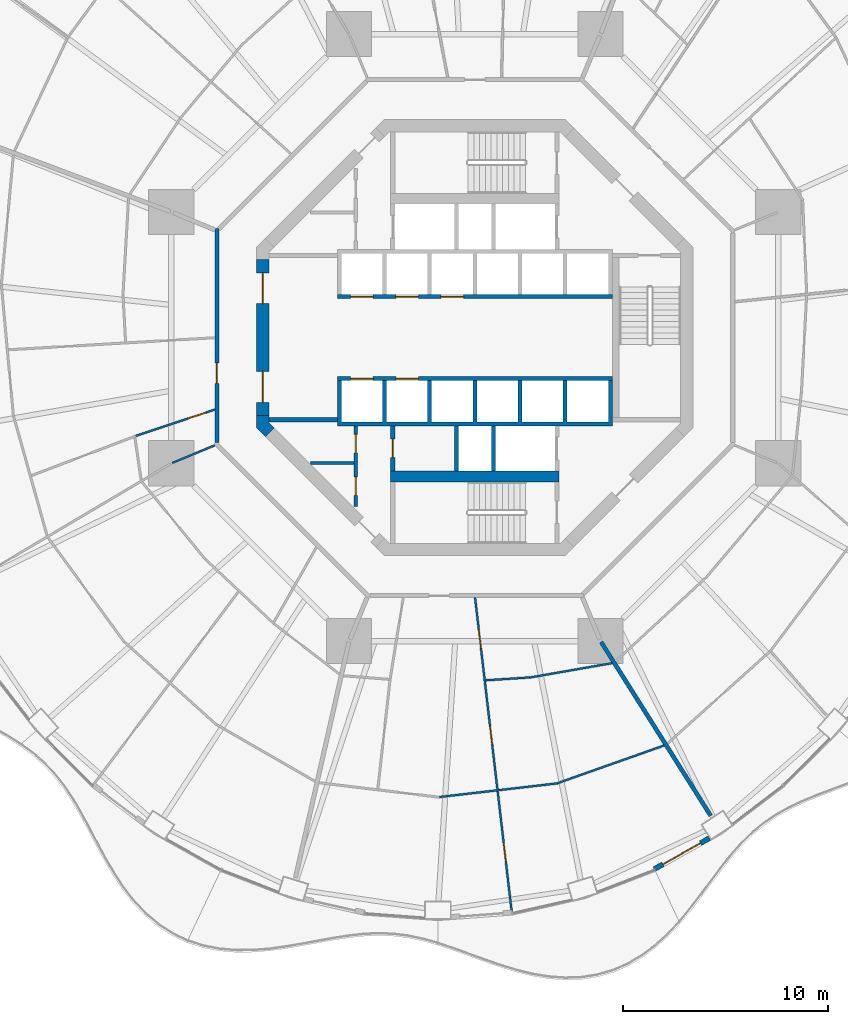
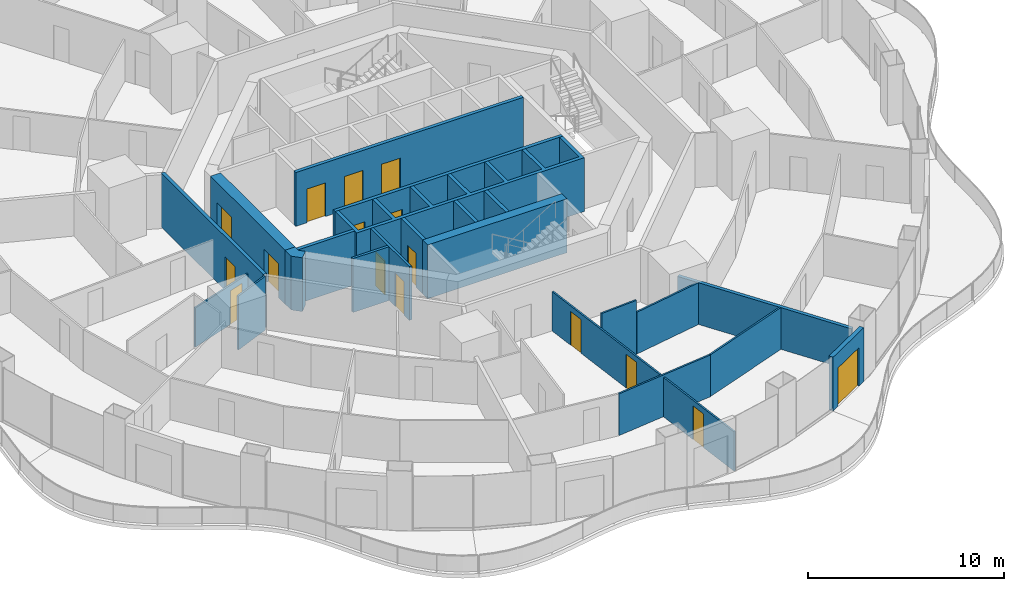
# One storey, part 16 of 23: 22 walls, 16 doors, 16 openings.
"""IFC4 building model written with IfcOpenShell, lengths in metres."""

import ifcopenshell
import ifcopenshell.guid

model = None  # the IFC model being written
_history = None  # IfcOwnerHistory: only IFC2X3 demands one
_inside = {}  # id of a spatial element -> (the spatial element, [elements in it])
_under = {}  # id of a project, library or spatial element -> (it, [spatial elements below it])
_declared = {}  # id of a project -> (the project, [libraries it declares])
_typed = {}  # id of a type object -> (the type object, [elements of that type])
_made_of = {}  # id of a material, layer set ... -> (it, [elements and type objects made of it])


def new_model(schema):
    """Start an empty IFC model of exactly this schema.

    Asked for "IFC4X3", IfcOpenShell would pick the latest addendum, in which some entities
    have other attributes; the version numbers below select the first issue.
    IFC2X3 requires an IfcOwnerHistory on every rooted entity: one is made here for all.
    """
    global model, _history
    if schema == "IFC4X3":
        model = ifcopenshell.file(schema_version=(4, 3, 0, 0))
    else:
        model = ifcopenshell.file(schema=schema)
    _inside.clear()
    _under.clear()
    _declared.clear()
    _typed.clear()
    _made_of.clear()
    _history = None
    if model.schema == "IFC2X3":
        org = make("IfcOrganization", Name="unknown")
        user = make(
            "IfcPersonAndOrganization",
            ThePerson=make("IfcPerson", FamilyName="unknown"),
            TheOrganization=org,
        )
        app = make(
            "IfcApplication",
            ApplicationDeveloper=org,
            Version="unknown",
            ApplicationFullName="unknown",
            ApplicationIdentifier="unknown",
        )
        _history = make(
            "IfcOwnerHistory",
            OwningUser=user,
            OwningApplication=app,
            ChangeAction="ADDED",
            CreationDate=0,
        )
    return model


def make(cls, **values):
    """One entity of the class cls with the attributes given. An attribute that is None is left unset."""
    return model.create_entity(
        cls, **{name: value for name, value in values.items() if value is not None}
    )


def rooted(cls, **values):
    """An entity with a GlobalId (a new one), such as an element, a storey or a relation."""
    return make(cls, GlobalId=ifcopenshell.guid.new(), OwnerHistory=_history, **values)


def si_unit(unit_type, name, prefix=None):
    """IfcSIUnit, for example si_unit("LENGTHUNIT", "METRE", prefix="MILLI")."""
    return make("IfcSIUnit", UnitType=unit_type, Prefix=prefix, Name=name)


def assignment(units):
    """IfcUnitAssignment: the units of a project."""
    return None if units is None else make("IfcUnitAssignment", Units=units)


def point(xyz):
    """IfcCartesianPoint."""
    return None if xyz is None else make("IfcCartesianPoint", Coordinates=xyz)


def direction(xyz):
    """IfcDirection."""
    return None if xyz is None else make("IfcDirection", DirectionRatios=xyz)


def frame(location, z_axis=None, x_axis=None):
    """IfcAxis2Placement3D, a coordinate frame: its origin and axes. An axis left out is left unset."""
    return make(
        "IfcAxis2Placement3D",
        Location=point(location),
        Axis=direction(z_axis),
        RefDirection=direction(x_axis),
    )


def frame_2d(location, x_axis=None):
    """IfcAxis2Placement2D, a coordinate frame in the plane: its origin and x axis."""
    return make(
        "IfcAxis2Placement2D", Location=point(location), RefDirection=direction(x_axis)
    )


def origin():
    """The frame at (0, 0, 0) with its axes left unset."""
    return frame((0.0, 0.0, 0.0))


def place(relative_to, where):
    """IfcLocalPlacement: puts the frame where relative to a parent placement (None: the world)."""
    return make(
        "IfcLocalPlacement", PlacementRelTo=relative_to, RelativePlacement=where
    )


def context(
    kind, dimensions, precision=None, world=None, true_north=None, identifier=None
):
    """IfcGeometricRepresentationContext, for example the 3D "Model" context."""
    return make(
        "IfcGeometricRepresentationContext",
        ContextIdentifier=identifier,
        ContextType=kind,
        CoordinateSpaceDimension=dimensions,
        Precision=precision,
        WorldCoordinateSystem=world,
        TrueNorth=true_north,
    )


def subcontext(parent, identifier, kind, view, scale=None):
    """IfcGeometricRepresentationSubContext, for example "Body" below "Model"."""
    return make(
        "IfcGeometricRepresentationSubContext",
        ContextIdentifier=identifier,
        ContextType=kind,
        ParentContext=parent,
        TargetScale=scale,
        TargetView=view,
    )


def project(units=None, contexts=None):
    """IfcProject with its units and contexts."""
    return rooted(
        "IfcProject",
        Name="project",
        RepresentationContexts=contexts,
        UnitsInContext=assignment(units),
    )


def spatial(cls, under=None, at=None, **own):
    """A site, building, storey or space (cls), placed at a placement, below another one or the project."""
    s = rooted(cls, ObjectPlacement=at, **own)
    if under is not None:
        _under.setdefault(under.id(), (under, []))[1].append(s)
    return s


def polyline(points):
    """IfcPolyline through the points."""
    return make("IfcPolyline", Points=[point(p) for p in points])


def profile(cls, at=None, kind="AREA", **sizes):
    """A parametric profile (cls). Its sizes go by their IFC names, for example OverallWidth=200.0."""
    return make(cls, ProfileType=kind, Position=at, **sizes)


def rectangle(**sizes):
    """IfcRectangleProfileDef."""
    return profile("IfcRectangleProfileDef", **sizes)


def outline(outer, holes=None, kind="AREA"):
    """IfcArbitraryClosedProfileDef: a profile drawn as a closed curve; with holes, ...WithVoids."""
    if holes is None:
        return make("IfcArbitraryClosedProfileDef", ProfileType=kind, OuterCurve=outer)
    return make(
        "IfcArbitraryProfileDefWithVoids",
        ProfileType=kind,
        OuterCurve=outer,
        InnerCurves=holes,
    )


def extrude(swept, where, along, depth):
    """IfcExtrudedAreaSolid: the profile swept, set in the frame where, extruded along a direction by depth."""
    return make(
        "IfcExtrudedAreaSolid",
        SweptArea=swept,
        Position=where,
        ExtrudedDirection=direction(along),
        Depth=depth,
    )


def shape(context_of_items, identifier, shape_type, items):
    """IfcShapeRepresentation: the items that make up one representation, for example the "Body"."""
    return make(
        "IfcShapeRepresentation",
        ContextOfItems=context_of_items,
        RepresentationIdentifier=identifier,
        RepresentationType=shape_type,
        Items=items,
    )


def material(Name=None, Category=None):
    """IfcMaterial."""
    return make("IfcMaterial", Name=Name, Category=Category)


def layer(
    of_material, thickness, ventilated=None, Name=None, Category=None, Priority=None
):
    """IfcMaterialLayer: one layer of a wall or slab, of a material (None: an air gap)."""
    return make(
        "IfcMaterialLayer",
        Material=of_material,
        LayerThickness=thickness,
        IsVentilated=ventilated,
        Name=Name,
        Category=Category,
        Priority=Priority,
    )


def layer_set(layers, Name=None):
    """IfcMaterialLayerSet."""
    return make("IfcMaterialLayerSet", MaterialLayers=layers, LayerSetName=Name)


def made_of(thing, what):
    """Note that an element or type object is made of a material, layer set ...; save() writes the relation."""
    if what is not None:
        _made_of.setdefault(what.id(), (what, []))[1].append(thing)
    return thing


def type_object(cls, material=None, **own):
    """A type object (cls), such as IfcWallType, which elements share."""
    return made_of(rooted(cls, **own), material)


def element(
    cls,
    number,
    at=None,
    inside=None,
    cuts=None,
    type_object=None,
    material=None,
    context=None,
    identifier="Body",
    shape_type=None,
    held_by="IfcProductDefinitionShape",
    body=None,
    shapes=None,
    **own,
):
    """One element of the class cls, such as IfcWall. Its Tag is "e" and its number.

    at: its placement. inside: the storey or other place that contains it. cuts: it is an
    opening in that element (IfcRelVoidsElement). A single representation is given by context,
    identifier, shape_type and body (its items); several are given by shapes. held_by: the class
    of the entity that holds the representations. save() writes the other relations.
    """
    e = rooted(cls, Tag="e%d" % number, ObjectPlacement=at, **own)
    if body is not None:
        shapes = [shape(context, identifier, shape_type, body)]
    if shapes is not None:
        e.Representation = make(held_by, Representations=shapes)
    if inside is not None:
        _inside.setdefault(inside.id(), (inside, []))[1].append(e)
    if cuts is not None:
        rooted(
            "IfcRelVoidsElement", RelatingBuildingElement=cuts, RelatedOpeningElement=e
        )
    if type_object is not None:
        _typed.setdefault(type_object.id(), (type_object, []))[1].append(e)
    return made_of(e, material)


def fill(opening, filler):
    """IfcRelFillsElement: the door or window that sits in an opening."""
    return rooted(
        "IfcRelFillsElement",
        RelatingOpeningElement=opening,
        RelatedBuildingElement=filler,
    )


def aggregate(whole, parts):
    """IfcRelAggregates: a whole, such as a stair, and the parts it consists of."""
    return rooted("IfcRelAggregates", RelatingObject=whole, RelatedObjects=parts)


def save(model, path):
    """Write the relations noted so far, then the file.

    IfcRelAggregates (storeys below a building ...), IfcRelContainedInSpatialStructure (elements
    in a storey), IfcRelDefinesByType, IfcRelAssociatesMaterial and IfcRelDeclares: one each for
    every whole, place, type object, material and project.
    """
    for whole, parts in _under.values():
        aggregate(whole, parts)
    for where, things in _inside.values():
        rooted(
            "IfcRelContainedInSpatialStructure",
            RelatedElements=things,
            RelatingStructure=where,
        )
    for kind, things in _typed.values():
        rooted("IfcRelDefinesByType", RelatedObjects=things, RelatingType=kind)
    for what, things in _made_of.values():
        rooted("IfcRelAssociatesMaterial", RelatedObjects=things, RelatingMaterial=what)
    for by, libraries in _declared.values():
        rooted("IfcRelDeclares", RelatingContext=by, RelatedDefinitions=libraries)
    model.write(path)


model = new_model("IFC4")

# Units and contexts
model_context = context("Model", 3, precision=1e-05, world=origin(), true_north=direction((0.0, 1.0)))
body_context = subcontext(model_context, "Body", "Model", "MODEL_VIEW")
ifc_project = project(units=[si_unit("LENGTHUNIT", "METRE"), si_unit("AREAUNIT", "SQUARE_METRE"), si_unit("VOLUMEUNIT", "CUBIC_METRE"), si_unit("PLANEANGLEUNIT", "RADIAN"), si_unit("MASSUNIT", "GRAM", prefix="KILO")], contexts=[model_context])

# Site, building, storey
site_placement = place(None, origin())
site = spatial("IfcSite", under=ifc_project, at=site_placement, CompositionType="ELEMENT")
building_placement = place(site_placement, origin())
building = spatial("IfcBuilding", under=site, at=building_placement, Name="Nagisa Residences", CompositionType="ELEMENT")
storey_placement = place(building_placement, frame((0.0, 0.0, 110.300048828125)))
storey = spatial("IfcBuildingStorey", under=building, at=storey_placement, Name="L27", CompositionType="ELEMENT", Elevation=110.300048828125)

# Wall
ifc_material_1 = material(Name="Gypsum board on steel studs", Category="steel")
ifc_layer_1 = layer(ifc_material_1, 0.199951171875)
ifc_layer_set_1 = layer_set([ifc_layer_1], Name="Apartment compartment wall EI60 200")
wall_type_1 = type_object("IfcWallType", Name="Apartment compartment wall EI60 200", PredefinedType="PARTITIONING", material=ifc_layer_set_1)
wall_1_placement = place(storey_placement, frame((6.149658203125, -14.824462890625, 0.0), z_axis=(0.0, 0.0, 1.0), x_axis=(0.533492589682, -0.845804739142, 0.0)))
element("IfcWall", 1, at=wall_1_placement, inside=storey, type_object=wall_type_1, Name="wall:L27:u07", PredefinedType="PARTITIONING", context=body_context, shape_type="SweptSolid", body=[
    extrude(rectangle(XDim=10.006103515625, YDim=0.199951171875, at=frame_2d((5.0029296875, 0.0))), origin(), (0.0, 0.0, 1.0), 2.596923828125),
])

# Wall, opening, door
ifc_material_2 = material(Name="Gypsum board on steel studs", Category="steel")
ifc_layer_2 = layer(ifc_material_2, 0.199951171875)
ifc_layer_set_2 = layer_set([ifc_layer_2], Name="Apartment entry wall EI60 200")
wall_type_2 = type_object("IfcWallType", Name="Apartment entry wall EI60 200", PredefinedType="PARTITIONING", material=ifc_layer_set_2)
wall_2_placement = place(storey_placement, frame((-12.564697265625, 5.304443359375, 0.0), z_axis=(0.0, 0.0, 1.0), x_axis=(0.0, -1.0, 0.0)))
wall_2 = element("IfcWall", 2, at=wall_2_placement, inside=storey, type_object=wall_type_2, Name="wall:L27:u12", PredefinedType="PARTITIONING", context=body_context, shape_type="SweptSolid", body=[
    extrude(rectangle(XDim=10.408935546875, YDim=0.199951171875, at=frame_2d((5.20458984375, 0.0))), origin(), (0.0, 0.0, 1.0), 3.349853515625),
])
opening_1_placement = place(wall_2_placement, frame((6.539306640625, 0.0, 0.0)))
opening_1 = element("IfcOpeningElement", 3, at=opening_1_placement, cuts=wall_2, Name="Opening L27-U41", PredefinedType="OPENING", context=body_context, shape_type="SweptSolid", body=[
    extrude(rectangle(XDim=1.0, YDim=2.10009765625, at=frame_2d((0.5, 1.050048828125))), frame((0.0, 0.10986328125, 0.0), z_axis=(0.0, -1.0, 0.0), x_axis=(1.0, 0.0, 0.0)), (0.0, 0.0, 1.0), 0.219970703125),
])
ifc_material_3 = material(Name="Timber fire door set", Category="wood")
door_type_1 = type_object("IfcDoorType", Name="Apartment entry door FD30S 1000x2100", OperationType="NOTDEFINED", PredefinedType="DOOR", material=ifc_material_3)
door_1_placement = place(opening_1_placement, frame((1.0, 0.0, 0.0), x_axis=(-1.0, 0.0, 0.0)))
door_1 = element("IfcDoor", 4, at=door_1_placement, inside=storey, type_object=door_type_1, Name="Entry door, Apartment 27D", OperationType="SINGLE_SWING_RIGHT", OverallHeight=2.10009765625, OverallWidth=1.0, PredefinedType="DOOR", context=body_context, shape_type="SweptSolid", body=[
    extrude(rectangle(XDim=1.0, YDim=2.10009765625, at=frame_2d((0.5, 1.050048828125))), frame((0.0, 0.02490234375, 0.0), z_axis=(0.0, -1.0, 0.0), x_axis=(1.0, 0.0, 0.0)), (0.0, 0.0, 1.0), 0.050048828125),
])
fill(opening_1, door_1)

ifc_material_4 = material(Name="Gypsum board on steel studs", Category="steel")
ifc_layer_3 = layer(ifc_material_4, 0.10009765625)
ifc_layer_set_3 = layer_set([ifc_layer_3], Name="Apartment partition 100")
wall_type_3 = type_object("IfcWallType", Name="Apartment partition 100", PredefinedType="PARTITIONING", material=ifc_layer_set_3)
wall_3_placement = place(storey_placement, frame((-12.65966796875, -3.50146484375, 0.0), z_axis=(0.0, 0.0, 1.0), x_axis=(-0.94826823584, -0.317470239387, 0.0)))
wall_3 = element("IfcWall", 5, at=wall_3_placement, inside=storey, type_object=wall_type_3, Name="wall:L27:u61", PredefinedType="PARTITIONING", context=body_context, shape_type="SweptSolid", body=[
    extrude(rectangle(XDim=4.066650390625, YDim=0.10009765625, at=frame_2d((2.033203125, 0.0))), origin(), (0.0, 0.0, 1.0), 2.447021484375),
])
opening_2_placement = place(wall_3_placement, frame((0.473388671875, 0.0, 0.0)))
opening_2 = element("IfcOpeningElement", 6, at=opening_2_placement, cuts=wall_3, Name="Opening L27-U43", PredefinedType="OPENING", context=body_context, shape_type="SweptSolid", body=[
    extrude(rectangle(XDim=0.89990234375, YDim=2.10009765625, at=frame_2d((0.449951171875, 1.050048828125))), frame((0.0, 0.06005859375, 0.0), z_axis=(0.0, -1.0, 0.0), x_axis=(1.0, 0.0, 0.0)), (0.0, 0.0, 1.0), 0.1201171875),
])
ifc_material_5 = material(Name="Timber door set", Category="wood")
door_type_2 = type_object("IfcDoorType", Name="Apartment door 900x2100", OperationType="NOTDEFINED", PredefinedType="DOOR", material=ifc_material_5)
door_2_placement = place(opening_2_placement, origin())
door_2 = element("IfcDoor", 7, at=door_2_placement, inside=storey, type_object=door_type_2, Name="Door to family bathroom, Apartment 27D", OperationType="SINGLE_SWING_LEFT", OverallHeight=2.10009765625, OverallWidth=0.89990234375, PredefinedType="DOOR", context=body_context, shape_type="SweptSolid", body=[
    extrude(rectangle(XDim=0.89990234375, YDim=2.10009765625, at=frame_2d((0.449951171875, 1.050048828125))), frame((0.0, 0.02490234375, 0.0), z_axis=(0.0, -1.0, 0.0), x_axis=(1.0, 0.0, 0.0)), (0.0, 0.0, 1.0), 0.050048828125),
])
fill(opening_2, door_2)

# Walls
wall_4_placement = place(storey_placement, frame((-12.6572265625, -5.24267578125, 0.0), z_axis=(0.0, 0.0, 1.0), x_axis=(-0.923848837015, -0.382757529444, 0.0)))
element("IfcWall", 8, at=wall_4_placement, inside=storey, type_object=wall_type_3, Name="wall:L27:u64", PredefinedType="PARTITIONING", context=body_context, shape_type="SweptSolid", body=[
    extrude(rectangle(XDim=2.249755859375, YDim=0.10009765625, at=frame_2d((1.125, 0.0))), origin(), (0.0, 0.0, 1.0), 3.349853515625),
])
wall_5_placement = place(storey_placement, frame((-1.7255859375, -22.375244140625, 0.0), z_axis=(0.0, 0.0, 1.0), x_axis=(0.993392336919, 0.114767874207, 0.0)))
element("IfcWall", 9, at=wall_5_placement, inside=storey, type_object=wall_type_3, Name="wall:L27:u78", PredefinedType="PARTITIONING", context=body_context, shape_type="SweptSolid", body=[
    extrude(rectangle(XDim=5.801025390625, YDim=0.10009765625, at=frame_2d((2.900390625, 0.0))), origin(), (0.0, 0.0, 1.0), 2.596923828125),
])

# Wall, openings, doors
wall_6_placement = place(storey_placement, frame((0.011474609375, -12.6640625, 0.0), z_axis=(0.0, 0.0, 1.0), x_axis=(0.115841404661, -0.993267722704, 0.0)))
wall_6 = element("IfcWall", 10, at=wall_6_placement, inside=storey, type_object=wall_type_3, Name="wall:L27:u79", PredefinedType="PARTITIONING", context=body_context, shape_type="SweptSolid", body=[
    extrude(rectangle(XDim=15.5283203125, YDim=0.10009765625, at=frame_2d((7.76416015625, 0.0))), origin(), (0.0, 0.0, 1.0), 2.447021484375),
])
opening_3_placement = place(wall_6_placement, frame((1.578857421875, 0.0, 0.0)))
opening_3 = element("IfcOpeningElement", 11, at=opening_3_placement, cuts=wall_6, Name="Opening L27-U03", PredefinedType="OPENING", context=body_context, shape_type="SweptSolid", body=[
    extrude(rectangle(XDim=0.89990234375, YDim=2.10009765625, at=frame_2d((0.449951171875, 1.050048828125))), frame((0.0, 0.06005859375, 0.0), z_axis=(0.0, -1.0, 0.0), x_axis=(1.0, 0.0, 0.0)), (0.0, 0.0, 1.0), 0.1201171875),
])
opening_4_placement = place(wall_6_placement, frame((6.302734375, 0.0, 0.0)))
opening_4 = element("IfcOpeningElement", 12, at=opening_4_placement, cuts=wall_6, Name="Opening L27-U05", PredefinedType="OPENING", context=body_context, shape_type="SweptSolid", body=[
    extrude(rectangle(XDim=0.89990234375, YDim=2.10009765625, at=frame_2d((0.449951171875, 1.050048828125))), frame((0.0, 0.06005859375, 0.0), z_axis=(0.0, -1.0, 0.0), x_axis=(1.0, 0.0, 0.0)), (0.0, 0.0, 1.0), 0.1201171875),
])
opening_5_placement = place(wall_6_placement, frame((12.0380859375, 0.0, 0.0)))
opening_5 = element("IfcOpeningElement", 13, at=opening_5_placement, cuts=wall_6, Name="Opening L27-U07", PredefinedType="OPENING", context=body_context, shape_type="SweptSolid", body=[
    extrude(rectangle(XDim=0.89990234375, YDim=2.10009765625, at=frame_2d((0.449951171875, 1.050048828125))), frame((0.0, 0.06005859375, 0.0), z_axis=(0.0, -1.0, 0.0), x_axis=(1.0, 0.0, 0.0)), (0.0, 0.0, 1.0), 0.1201171875),
])
door_3_placement = place(opening_3_placement, origin())
door_3 = element("IfcDoor", 14, at=door_3_placement, inside=storey, type_object=door_type_2, Name="Door to store, Apartment 27A", OperationType="SINGLE_SWING_LEFT", OverallHeight=2.10009765625, OverallWidth=0.89990234375, PredefinedType="DOOR", context=body_context, shape_type="SweptSolid", body=[
    extrude(rectangle(XDim=0.89990234375, YDim=2.10009765625, at=frame_2d((0.449951171875, 1.050048828125))), frame((0.0, 0.02490234375, 0.0), z_axis=(0.0, -1.0, 0.0), x_axis=(1.0, 0.0, 0.0)), (0.0, 0.0, 1.0), 0.050048828125),
])
fill(opening_3, door_3)
door_4_placement = place(opening_4_placement, origin())
door_4 = element("IfcDoor", 15, at=door_4_placement, inside=storey, type_object=door_type_2, Name="Door to kitchen, Apartment 27A", OperationType="SINGLE_SWING_LEFT", OverallHeight=2.10009765625, OverallWidth=0.89990234375, PredefinedType="DOOR", context=body_context, shape_type="SweptSolid", body=[
    extrude(rectangle(XDim=0.89990234375, YDim=2.10009765625, at=frame_2d((0.449951171875, 1.050048828125))), frame((0.0, 0.02490234375, 0.0), z_axis=(0.0, -1.0, 0.0), x_axis=(1.0, 0.0, 0.0)), (0.0, 0.0, 1.0), 0.050048828125),
])
fill(opening_4, door_4)
door_5_placement = place(opening_5_placement, origin())
door_5 = element("IfcDoor", 16, at=door_5_placement, inside=storey, type_object=door_type_2, Name="Door to master bedroom, Apartment 27A", OperationType="SINGLE_SWING_LEFT", OverallHeight=2.10009765625, OverallWidth=0.89990234375, PredefinedType="DOOR", context=body_context, shape_type="SweptSolid", body=[
    extrude(rectangle(XDim=0.89990234375, YDim=2.10009765625, at=frame_2d((0.449951171875, 1.050048828125))), frame((0.0, 0.02490234375, 0.0), z_axis=(0.0, -1.0, 0.0), x_axis=(1.0, 0.0, 0.0)), (0.0, 0.0, 1.0), 0.050048828125),
])
fill(opening_5, door_5)

# Walls
wall_7_placement = place(storey_placement, frame((0.531494140625, -16.69140625, 0.0), z_axis=(0.0, 0.0, 1.0), x_axis=(0.997895869517, 0.064836977109, 0.0)))
element("IfcWall", 17, at=wall_7_placement, inside=storey, type_object=wall_type_3, Name="wall:L27:u80", PredefinedType="PARTITIONING", context=body_context, shape_type="SweptSolid", body=[
    extrude(rectangle(XDim=2.138671875, YDim=0.10009765625, at=frame_2d((1.0693359375, 0.0))), origin(), (0.0, 0.0, 1.0), 3.349853515625),
])
wall_8_placement = place(storey_placement, frame((2.66650390625, -16.558349609375, 0.0), z_axis=(0.0, 0.0, 1.0), x_axis=(0.984996445375, 0.172574629069, 0.0)))
element("IfcWall", 18, at=wall_8_placement, inside=storey, type_object=wall_type_3, Name="wall:L27:u81", PredefinedType="PARTITIONING", context=body_context, shape_type="SweptSolid", body=[
    extrude(rectangle(XDim=4.084228515625, YDim=0.10009765625, at=frame_2d((2.0419921875, 0.0))), origin(), (0.0, 0.0, 1.0), 2.596923828125),
])
wall_9_placement = place(storey_placement, frame((4.034423828125, -21.698486328125, 0.0), z_axis=(0.0, 0.0, 1.0), x_axis=(0.942861482644, 0.33318497047, 0.0)))
element("IfcWall", 19, at=wall_9_placement, inside=storey, type_object=wall_type_3, Name="wall:L27:u82", PredefinedType="PARTITIONING", context=body_context, shape_type="SweptSolid", body=[
    extrude(rectangle(XDim=5.494873046875, YDim=0.10009765625, at=frame_2d((2.74755859375, 0.0))), origin(), (0.0, 0.0, 1.0), 2.596923828125),
])

# Wall, opening, door
ifc_material_6 = material(Name="Precast concrete C40/50", Category="concrete")
ifc_layer_4 = layer(ifc_material_6, 0.25)
ifc_layer_set_4 = layer_set([ifc_layer_4], Name="BALCONY DOOR WALL 250")
wall_type_4 = type_object("IfcWallType", Name="BALCONY DOOR WALL 250", PredefinedType="SOLIDWALL", material=ifc_layer_set_4)
wall_10_placement = place(storey_placement, frame((11.41943359375, -24.38427734375, 0.0), z_axis=(0.0, 0.0, 1.0), x_axis=(-0.872071158476, -0.489379090843, 0.0)))
wall_10 = element("IfcWall", 20, at=wall_10_placement, inside=storey, type_object=wall_type_4, Name="wall:L27:bay39", PredefinedType="SOLIDWALL", context=body_context, shape_type="SweptSolid", body=[
    extrude(rectangle(XDim=3.07568359375, YDim=0.25, at=frame_2d((1.537841796875, 0.0))), origin(), (0.0, 0.0, 1.0), 3.349853515625),
])
opening_6_placement = place(wall_10_placement, frame((0.48779296875, 0.0, 0.0)))
opening_6 = element("IfcOpeningElement", 21, at=opening_6_placement, cuts=wall_10, Name="Opening BD-L27-14", PredefinedType="OPENING", context=body_context, shape_type="SweptSolid", body=[
    extrude(rectangle(XDim=2.10009765625, YDim=2.39990234375, at=frame_2d((1.050048828125, 1.199951171875))), frame((0.0, 0.135009765625, 0.0), z_axis=(0.0, -1.0, 0.0), x_axis=(1.0, 0.0, 0.0)), (0.0, 0.0, 1.0), 0.27001953125),
])
ifc_material_7 = material(Name="Aluminium and clear glass", Category="aluminium")
door_type_3 = type_object("IfcDoorType", Name="BALCONY SLIDING DOOR 2100x2400", OperationType="SLIDING_TO_LEFT", PredefinedType="DOOR", material=ifc_material_7)
door_6_placement = place(opening_6_placement, origin())
door_6 = element("IfcDoor", 22, at=door_6_placement, inside=storey, type_object=door_type_3, Name="door:L27:bay39", OperationType="SLIDING_TO_LEFT", OverallHeight=2.39990234375, OverallWidth=2.10009765625, PredefinedType="DOOR", context=body_context, shape_type="SweptSolid", body=[
    extrude(rectangle(XDim=2.10009765625, YDim=2.39990234375, at=frame_2d((1.050048828125, 1.199951171875))), frame((0.0, 0.02490234375, 0.0), z_axis=(0.0, -1.0, 0.0), x_axis=(1.0, 0.0, 0.0)), (0.0, 0.0, 1.0), 0.050048828125),
])
fill(opening_6, door_6)

# Wall, openings, doors
ifc_material_8 = material(Name="Gypsum board on steel studs", Category="steel")
ifc_layer_5 = layer(ifc_material_8, 0.14990234375)
ifc_layer_set_5 = layer_set([ifc_layer_5], Name="Core partition 150")
wall_type_5 = type_object("IfcWallType", Name="Core partition 150", PredefinedType="PARTITIONING", material=ifc_layer_set_5)
wall_11_placement = place(storey_placement, frame((-5.800048828125, -8.22705078125, 0.0), z_axis=(0.0, 0.0, 1.0), x_axis=(0.0, 1.0, 0.0)))
wall_11 = element("IfcWall", 23, at=wall_11_placement, inside=storey, type_object=wall_type_5, Name="wall:L27:SWp", PredefinedType="PARTITIONING", context=body_context, shape_type="SweptSolid", body=[
    extrude(rectangle(XDim=3.927001953125, YDim=0.14990234375, at=frame_2d((1.96337890625, 0.0))), origin(), (0.0, 0.0, 1.0), 3.349853515625),
])
opening_7_placement = place(wall_11_placement, frame((2.614501953125, 0.0, 0.0)))
opening_7 = element("IfcOpeningElement", 24, at=opening_7_placement, cuts=wall_11, Name="Opening L27-C14", PredefinedType="OPENING", context=body_context, shape_type="SweptSolid", body=[
    extrude(rectangle(XDim=0.89990234375, YDim=2.10009765625, at=frame_2d((0.449951171875, 1.050048828125))), frame((0.0, 0.0849609375, 0.0), z_axis=(0.0, -1.0, 0.0), x_axis=(1.0, 0.0, 0.0)), (0.0, 0.0, 1.0), 0.169921875),
])
opening_8_placement = place(wall_11_placement, frame((0.53857421875, 0.0, 0.0)))
opening_8 = element("IfcOpeningElement", 25, at=opening_8_placement, cuts=wall_11, Name="Opening L27-C15", PredefinedType="OPENING", context=body_context, shape_type="SweptSolid", body=[
    extrude(rectangle(XDim=0.89990234375, YDim=2.10009765625, at=frame_2d((0.449951171875, 1.050048828125))), frame((0.0, 0.0849609375, 0.0), z_axis=(0.0, -1.0, 0.0), x_axis=(1.0, 0.0, 0.0)), (0.0, 0.0, 1.0), 0.169921875),
])
ifc_material_9 = material(Name="Steel fire door", Category="steel")
door_type_4 = type_object("IfcDoorType", Name="Fire door EI30 900x2100 single swing", OperationType="NOTDEFINED", PredefinedType="DOOR", material=ifc_material_9)
door_7_placement = place(opening_7_placement, origin())
door_7 = element("IfcDoor", 26, at=door_7_placement, inside=storey, type_object=door_type_4, Name="Janitor door L27", OperationType="SINGLE_SWING_LEFT", OverallHeight=2.10009765625, OverallWidth=0.89990234375, PredefinedType="DOOR", context=body_context, shape_type="SweptSolid", body=[
    extrude(rectangle(XDim=0.89990234375, YDim=2.10009765625, at=frame_2d((0.449951171875, 1.050048828125))), frame((0.0, 0.02490234375, 0.0), z_axis=(0.0, -1.0, 0.0), x_axis=(1.0, 0.0, 0.0)), (0.0, 0.0, 1.0), 0.050048828125),
])
fill(opening_7, door_7)
door_8_placement = place(opening_8_placement, origin())
door_8 = element("IfcDoor", 27, at=door_8_placement, inside=storey, type_object=door_type_4, Name="Electrical room door L27", OperationType="SINGLE_SWING_LEFT", OverallHeight=2.10009765625, OverallWidth=0.89990234375, PredefinedType="DOOR", context=body_context, shape_type="SweptSolid", body=[
    extrude(rectangle(XDim=0.89990234375, YDim=2.10009765625, at=frame_2d((0.449951171875, 1.050048828125))), frame((0.0, 0.02490234375, 0.0), z_axis=(0.0, -1.0, 0.0), x_axis=(1.0, 0.0, 0.0)), (0.0, 0.0, 1.0), 0.050048828125),
])
fill(opening_8, door_8)

# Walls
wall_12_placement = place(storey_placement, frame((-8.0009765625, -6.10009765625, 0.0), z_axis=(0.0, 0.0, 1.0), x_axis=(1.0, 0.0, 0.0)))
element("IfcWall", 28, at=wall_12_placement, inside=storey, type_object=wall_type_5, Name="wall:L27:SWq", PredefinedType="PARTITIONING", context=body_context, shape_type="SweptSolid", body=[
    extrude(rectangle(XDim=2.1259765625, YDim=0.14990234375, at=frame_2d((1.06298828125, 0.0))), origin(), (0.0, 0.0, 1.0), 3.349853515625),
])
ifc_material_10 = material(Name="Gypsum board on steel studs", Category="steel")
ifc_layer_6 = layer(ifc_material_10, 0.199951171875)
ifc_layer_set_6 = layer_set([ifc_layer_6], Name="Core partition 200")
wall_type_6 = type_object("IfcWallType", Name="Core partition 200", PredefinedType="PARTITIONING", material=ifc_layer_set_6)
wall_13_placement = place(storey_placement, frame((-10.024658203125, -4.0, 0.0), z_axis=(0.0, 0.0, 1.0), x_axis=(1.0, 0.0, 0.0)))
element("IfcWall", 29, at=wall_13_placement, inside=storey, type_object=wall_type_6, Name="wall:L27:PSW", PredefinedType="PARTITIONING", context=body_context, shape_type="SweptSolid", body=[
    extrude(rectangle(XDim=3.32470703125, YDim=0.199951171875, at=frame_2d((1.662353515625, 0.0))), origin(), (0.0, 0.0, 1.0), 3.349853515625),
])

# Wall, openings, doors
ifc_material_11 = material(Name="Concrete C60", Category="concrete")
ifc_layer_7 = layer(ifc_material_11, 0.60009765625)
ifc_layer_set_7 = layer_set([ifc_layer_7], Name="Core shear wall 600")
wall_type_7 = type_object("IfcWallType", Name="Core shear wall 600", PredefinedType="SHEAR", material=ifc_layer_set_7)
wall_14_placement = place(storey_placement, frame((-10.32470703125, 3.80078125, 0.0), z_axis=(0.0, 0.0, 1.0), x_axis=(0.0, -1.0, 0.0)))
wall_14 = element("IfcWall", 30, at=wall_14_placement, inside=storey, type_object=wall_type_7, Name="wall:L27:core:flat4", PredefinedType="SHEAR", context=body_context, shape_type="SweptSolid", body=[
    extrude(rectangle(XDim=7.6015625, YDim=0.60009765625, at=frame_2d((3.80078125, 0.0))), origin(), (0.0, 0.0, 1.0), 3.349853515625),
])
opening_9_placement = place(wall_14_placement, frame((0.65087890625, 0.0, 0.0)))
opening_9 = element("IfcOpeningElement", 31, at=opening_9_placement, cuts=wall_14, Name="Opening L27-C19", PredefinedType="OPENING", context=body_context, shape_type="SweptSolid", body=[
    extrude(rectangle(XDim=1.5, YDim=2.10009765625, at=frame_2d((0.75, 1.050048828125))), frame((0.0, 0.31005859375, 0.0), z_axis=(0.0, -1.0, 0.0), x_axis=(1.0, 0.0, 0.0)), (0.0, 0.0, 1.0), 0.6201171875),
])
opening_10_placement = place(wall_14_placement, frame((5.450927734375, 0.0, 0.0)))
opening_10 = element("IfcOpeningElement", 32, at=opening_10_placement, cuts=wall_14, Name="Opening L27-C20", PredefinedType="OPENING", context=body_context, shape_type="SweptSolid", body=[
    extrude(rectangle(XDim=1.5, YDim=2.10009765625, at=frame_2d((0.75, 1.050048828125))), frame((0.0, 0.31005859375, 0.0), z_axis=(0.0, -1.0, 0.0), x_axis=(1.0, 0.0, 0.0)), (0.0, 0.0, 1.0), 0.6201171875),
])
ifc_material_12 = material(Name="Steel fire door", Category="steel")
door_type_5 = type_object("IfcDoorType", Name="Fire door EI60 1500x2100 double door single swing", OperationType="DOUBLE_DOOR_SINGLE_SWING", PredefinedType="DOOR", material=ifc_material_12)
door_9_placement = place(opening_9_placement, origin())
door_9 = element("IfcDoor", 33, at=door_9_placement, inside=storey, type_object=door_type_5, Name="Lift lobby door L27 1", OperationType="DOUBLE_DOOR_SINGLE_SWING", OverallHeight=2.10009765625, OverallWidth=1.5, PredefinedType="DOOR", context=body_context, shape_type="SweptSolid", body=[
    extrude(rectangle(XDim=1.5, YDim=2.10009765625, at=frame_2d((0.75, 1.050048828125))), frame((0.0, 0.02490234375, 0.0), z_axis=(0.0, -1.0, 0.0), x_axis=(1.0, 0.0, 0.0)), (0.0, 0.0, 1.0), 0.050048828125),
])
fill(opening_9, door_9)
door_10_placement = place(opening_10_placement, origin())
door_10 = element("IfcDoor", 34, at=door_10_placement, inside=storey, type_object=door_type_5, Name="Lift lobby door L27 2", OperationType="DOUBLE_DOOR_SINGLE_SWING", OverallHeight=2.10009765625, OverallWidth=1.5, PredefinedType="DOOR", context=body_context, shape_type="SweptSolid", body=[
    extrude(rectangle(XDim=1.5, YDim=2.10009765625, at=frame_2d((0.75, 1.050048828125))), frame((0.0, 0.02490234375, 0.0), z_axis=(0.0, -1.0, 0.0), x_axis=(1.0, 0.0, 0.0)), (0.0, 0.0, 1.0), 0.050048828125),
])
fill(opening_10, door_10)

# Wall
wall_15_placement = place(storey_placement, origin())
element("IfcWall", 35, at=wall_15_placement, inside=storey, type_object=wall_type_7, Name="wall:L27:core:pier4", PredefinedType="SHEAR", context=body_context, shape_type="SweptSolid", body=[
    extrude(outline(polyline([(-10.62451171875, -3.80078125), (-10.024658203125, -3.80078125), (-10.024658203125, -4.15234375), (-9.776123046875, -4.40087890625), (-10.200439453125, -4.8251953125), (-10.62451171875, -4.40087890625), (-10.62451171875, -3.80078125)])), origin(), (0.0, 0.0, 1.0), 3.349853515625),
])

# Wall, openings, doors
ifc_material_13 = material(Name="Concrete C60", Category="concrete")
ifc_layer_8 = layer(ifc_material_13, 0.199951171875)
ifc_layer_set_8 = layer_set([ifc_layer_8], Name="Lift shaft wall 200")
wall_type_8 = type_object("IfcWallType", Name="Lift shaft wall 200", PredefinedType="SOLIDWALL", material=ifc_layer_set_8)
wall_16_placement = place(storey_placement, frame((-6.699951171875, 2.0, 0.0), z_axis=(0.0, 0.0, 1.0), x_axis=(1.0, 0.0, 0.0)))
wall_16 = element("IfcWall", 36, at=wall_16_placement, inside=storey, type_object=wall_type_8, Name="wall:L27:Nfront", PredefinedType="SOLIDWALL", context=body_context, shape_type="SweptSolid", body=[
    extrude(rectangle(XDim=13.39990234375, YDim=0.199951171875, at=frame_2d((6.699951171875, 0.0))), origin(), (0.0, 0.0, 1.0), 3.349853515625),
])
opening_11_placement = place(wall_16_placement, frame((0.64990234375, 0.0, 0.0)))
opening_11 = element("IfcOpeningElement", 37, at=opening_11_placement, cuts=wall_16, Name="Opening L27-C01", PredefinedType="OPENING", context=body_context, shape_type="SweptSolid", body=[
    extrude(rectangle(XDim=1.10009765625, YDim=2.10009765625, at=frame_2d((0.550048828125, 1.050048828125))), frame((0.0, 0.10986328125, 0.0), z_axis=(0.0, -1.0, 0.0), x_axis=(1.0, 0.0, 0.0)), (0.0, 0.0, 1.0), 0.219970703125),
])
opening_12_placement = place(wall_16_placement, frame((2.85009765625, 0.0, 0.0)))
opening_12 = element("IfcOpeningElement", 38, at=opening_12_placement, cuts=wall_16, Name="Opening L27-C02", PredefinedType="OPENING", context=body_context, shape_type="SweptSolid", body=[
    extrude(rectangle(XDim=1.10009765625, YDim=2.10009765625, at=frame_2d((0.550048828125, 1.050048828125))), frame((0.0, 0.10986328125, 0.0), z_axis=(0.0, -1.0, 0.0), x_axis=(1.0, 0.0, 0.0)), (0.0, 0.0, 1.0), 0.219970703125),
])
opening_13_placement = place(wall_16_placement, frame((5.050048828125, 0.0, 0.0)))
opening_13 = element("IfcOpeningElement", 39, at=opening_13_placement, cuts=wall_16, Name="Opening L27-C03", PredefinedType="OPENING", context=body_context, shape_type="SweptSolid", body=[
    extrude(rectangle(XDim=1.10009765625, YDim=2.10009765625, at=frame_2d((0.550048828125, 1.050048828125))), frame((0.0, 0.10986328125, 0.0), z_axis=(0.0, -1.0, 0.0), x_axis=(1.0, 0.0, 0.0)), (0.0, 0.0, 1.0), 0.219970703125),
])
ifc_material_14 = material(Name="Stainless steel", Category="steel")
door_type_6 = type_object("IfcDoorType", Name="Lift landing door 1100x2100", OperationType="DOUBLE_DOOR_SLIDING", PredefinedType="DOOR", material=ifc_material_14)
door_11_placement = place(opening_11_placement, origin())
door_11 = element("IfcDoor", 40, at=door_11_placement, inside=storey, type_object=door_type_6, Name="Landing door A1 L27", OperationType="DOUBLE_DOOR_SLIDING", OverallHeight=2.10009765625, OverallWidth=1.10009765625, PredefinedType="DOOR", context=body_context, shape_type="SweptSolid", body=[
    extrude(rectangle(XDim=1.10009765625, YDim=2.10009765625, at=frame_2d((0.550048828125, 1.050048828125))), frame((0.0, 0.02490234375, 0.0), z_axis=(0.0, -1.0, 0.0), x_axis=(1.0, 0.0, 0.0)), (0.0, 0.0, 1.0), 0.050048828125),
])
fill(opening_11, door_11)
door_12_placement = place(opening_12_placement, origin())
door_12 = element("IfcDoor", 41, at=door_12_placement, inside=storey, type_object=door_type_6, Name="Landing door A2 L27", OperationType="DOUBLE_DOOR_SLIDING", OverallHeight=2.10009765625, OverallWidth=1.10009765625, PredefinedType="DOOR", context=body_context, shape_type="SweptSolid", body=[
    extrude(rectangle(XDim=1.10009765625, YDim=2.10009765625, at=frame_2d((0.550048828125, 1.050048828125))), frame((0.0, 0.02490234375, 0.0), z_axis=(0.0, -1.0, 0.0), x_axis=(1.0, 0.0, 0.0)), (0.0, 0.0, 1.0), 0.050048828125),
])
fill(opening_12, door_12)
door_13_placement = place(opening_13_placement, origin())
door_13 = element("IfcDoor", 42, at=door_13_placement, inside=storey, type_object=door_type_6, Name="Landing door A3 L27", OperationType="DOUBLE_DOOR_SLIDING", OverallHeight=2.10009765625, OverallWidth=1.10009765625, PredefinedType="DOOR", context=body_context, shape_type="SweptSolid", body=[
    extrude(rectangle(XDim=1.10009765625, YDim=2.10009765625, at=frame_2d((0.550048828125, 1.050048828125))), frame((0.0, 0.02490234375, 0.0), z_axis=(0.0, -1.0, 0.0), x_axis=(1.0, 0.0, 0.0)), (0.0, 0.0, 1.0), 0.050048828125),
])
fill(opening_13, door_13)

# Wall, opening, door
wall_17_placement = place(storey_placement, frame((-4.0, -6.5, 0.0), z_axis=(0.0, 0.0, 1.0), x_axis=(0.0, 1.0, 0.0)))
wall_17 = element("IfcWall", 43, at=wall_17_placement, inside=storey, type_object=wall_type_8, Name="wall:L27:Sb4", PredefinedType="SOLIDWALL", context=body_context, shape_type="SweptSolid", body=[
    extrude(rectangle(XDim=2.199951171875, YDim=0.199951171875, at=frame_2d((1.10009765625, 0.0))), origin(), (0.0, 0.0, 1.0), 3.349853515625),
])
opening_14_placement = place(wall_17_placement, frame((0.64990234375, 0.0, 0.0)))
opening_14 = element("IfcOpeningElement", 44, at=opening_14_placement, cuts=wall_17, Name="Opening L27-C16", PredefinedType="OPENING", context=body_context, shape_type="SweptSolid", body=[
    extrude(rectangle(XDim=0.89990234375, YDim=2.10009765625, at=frame_2d((0.449951171875, 1.050048828125))), frame((0.0, 0.10986328125, 0.0), z_axis=(0.0, -1.0, 0.0), x_axis=(1.0, 0.0, 0.0)), (0.0, 0.0, 1.0), 0.219970703125),
])
door_14_placement = place(opening_14_placement, frame((0.89990234375, 0.0, 0.0), x_axis=(-1.0, 0.0, 0.0)))
door_14 = element("IfcDoor", 45, at=door_14_placement, inside=storey, type_object=door_type_4, Name="Refuse room door L27", OperationType="SINGLE_SWING_LEFT", OverallHeight=2.10009765625, OverallWidth=0.89990234375, PredefinedType="DOOR", context=body_context, shape_type="SweptSolid", body=[
    extrude(rectangle(XDim=0.89990234375, YDim=2.10009765625, at=frame_2d((0.449951171875, 1.050048828125))), frame((0.0, 0.02490234375, 0.0), z_axis=(0.0, -1.0, 0.0), x_axis=(1.0, 0.0, 0.0)), (0.0, 0.0, 1.0), 0.050048828125),
])
fill(opening_14, door_14)

# Wall, openings, doors
wall_18_placement = place(storey_placement, frame((-6.699951171875, -2.0, 0.0), z_axis=(0.0, 0.0, 1.0), x_axis=(1.0, 0.0, 0.0)))
wall_18 = element("IfcWall", 46, at=wall_18_placement, inside=storey, type_object=wall_type_8, Name="wall:L27:Sfront", PredefinedType="SOLIDWALL", context=body_context, shape_type="SweptSolid", body=[
    extrude(rectangle(XDim=13.39990234375, YDim=0.199951171875, at=frame_2d((6.699951171875, 0.0))), origin(), (0.0, 0.0, 1.0), 3.349853515625),
])
opening_15_placement = place(wall_18_placement, frame((0.64990234375, 0.0, 0.0)))
opening_15 = element("IfcOpeningElement", 47, at=opening_15_placement, cuts=wall_18, Name="Opening L27-C04", PredefinedType="OPENING", context=body_context, shape_type="SweptSolid", body=[
    extrude(rectangle(XDim=1.10009765625, YDim=2.10009765625, at=frame_2d((0.550048828125, 1.050048828125))), frame((0.0, 0.10986328125, 0.0), z_axis=(0.0, -1.0, 0.0), x_axis=(1.0, 0.0, 0.0)), (0.0, 0.0, 1.0), 0.219970703125),
])
opening_16_placement = place(wall_18_placement, frame((2.85009765625, 0.0, 0.0)))
opening_16 = element("IfcOpeningElement", 48, at=opening_16_placement, cuts=wall_18, Name="Opening L27-C05", PredefinedType="OPENING", context=body_context, shape_type="SweptSolid", body=[
    extrude(rectangle(XDim=1.10009765625, YDim=2.10009765625, at=frame_2d((0.550048828125, 1.050048828125))), frame((0.0, 0.10986328125, 0.0), z_axis=(0.0, -1.0, 0.0), x_axis=(1.0, 0.0, 0.0)), (0.0, 0.0, 1.0), 0.219970703125),
])
door_15_placement = place(opening_15_placement, origin())
door_15 = element("IfcDoor", 49, at=door_15_placement, inside=storey, type_object=door_type_6, Name="Landing door A4 L27", OperationType="DOUBLE_DOOR_SLIDING", OverallHeight=2.10009765625, OverallWidth=1.10009765625, PredefinedType="DOOR", context=body_context, shape_type="SweptSolid", body=[
    extrude(rectangle(XDim=1.10009765625, YDim=2.10009765625, at=frame_2d((0.550048828125, 1.050048828125))), frame((0.0, 0.02490234375, 0.0), z_axis=(0.0, -1.0, 0.0), x_axis=(1.0, 0.0, 0.0)), (0.0, 0.0, 1.0), 0.050048828125),
])
fill(opening_15, door_15)
door_16_placement = place(opening_16_placement, origin())
door_16 = element("IfcDoor", 50, at=door_16_placement, inside=storey, type_object=door_type_6, Name="Landing door A5 L27", OperationType="DOUBLE_DOOR_SLIDING", OverallHeight=2.10009765625, OverallWidth=1.10009765625, PredefinedType="DOOR", context=body_context, shape_type="SweptSolid", body=[
    extrude(rectangle(XDim=1.10009765625, YDim=2.10009765625, at=frame_2d((0.550048828125, 1.050048828125))), frame((0.0, 0.02490234375, 0.0), z_axis=(0.0, -1.0, 0.0), x_axis=(1.0, 0.0, 0.0)), (0.0, 0.0, 1.0), 0.050048828125),
])
fill(opening_16, door_16)

# Walls
for number, where, z_axis, x_axis, name in (
    (51, (-0.89990234375, -6.5, 0.0), (0.0, 0.0, 1.0), (0.0, 1.0, 0.0), "wall:L27:Sb1"),
    (52, (0.89990234375, -6.5, 0.0), (0.0, 0.0, 1.0), (0.0, 1.0, 0.0), "wall:L27:Sb2"),
):
    element("IfcWall", number, at=place(storey_placement, frame(where, z_axis=z_axis, x_axis=x_axis)), inside=storey, type_object=wall_type_8, Name=name, PredefinedType="SOLIDWALL", context=body_context, shape_type="SweptSolid", body=[
        extrude(rectangle(XDim=2.199951171875, YDim=0.199951171875, at=frame_2d((1.10009765625, 0.0))), origin(), (0.0, 0.0, 1.0), 3.349853515625),
    ])
wall_19_placement = place(storey_placement, origin())
element("IfcWall", 53, at=wall_19_placement, inside=storey, type_object=wall_type_8, Name="wall:L27:Sback", PredefinedType="SOLIDWALL", context=body_context, shape_type="SweptSolid", body=[
    extrude(outline(polyline([(-6.699951171875, -2.10009765625), (-6.5, -2.10009765625), (-6.5, -4.10009765625), (-4.5, -4.10009765625), (-4.5, -2.10009765625), (-4.300048828125, -2.10009765625), (-4.300048828125, -4.10009765625), (-2.300048828125, -4.10009765625), (-2.300048828125, -2.10009765625), (-2.10009765625, -2.10009765625), (-2.10009765625, -4.10009765625), (-0.10009765625, -4.10009765625), (-0.10009765625, -2.10009765625), (0.10009765625, -2.10009765625), (0.10009765625, -4.10009765625), (2.10009765625, -4.10009765625), (2.10009765625, -2.10009765625), (2.300048828125, -2.10009765625), (2.300048828125, -4.10009765625), (4.300048828125, -4.10009765625), (4.300048828125, -2.10009765625), (4.5, -2.10009765625), (4.5, -4.10009765625), (6.5, -4.10009765625), (6.5, -2.10009765625), (6.699951171875, -2.10009765625), (6.699951171875, -4.300048828125), (-6.699951171875, -4.300048828125), (-6.699951171875, -2.10009765625)])), origin(), (0.0, 0.0, 1.0), 3.349853515625),
])
ifc_material_15 = material(Name="Concrete C60", Category="concrete")
ifc_layer_9 = layer(ifc_material_15, 0.199951171875)
ifc_layer_set_9 = layer_set([ifc_layer_9], Name="Stair enclosure wall 200")
wall_type_9 = type_object("IfcWallType", Name="Stair enclosure wall 200", PredefinedType="SOLIDWALL", material=ifc_layer_set_9)
wall_20_placement = place(storey_placement, origin())
element("IfcWall", 54, at=wall_20_placement, inside=storey, type_object=wall_type_9, Name="wall:L27:SS_n", PredefinedType="SOLIDWALL", context=body_context, shape_type="SweptSolid", body=[
    extrude(outline(polyline([(4.10009765625, -7.024658203125), (-4.10009765625, -7.024658203125), (-4.10009765625, -6.5), (4.10009765625, -6.5), (4.10009765625, -7.024658203125)])), origin(), (0.0, 0.0, 1.0), 3.349853515625),
])

save(model, "model.ifc")
